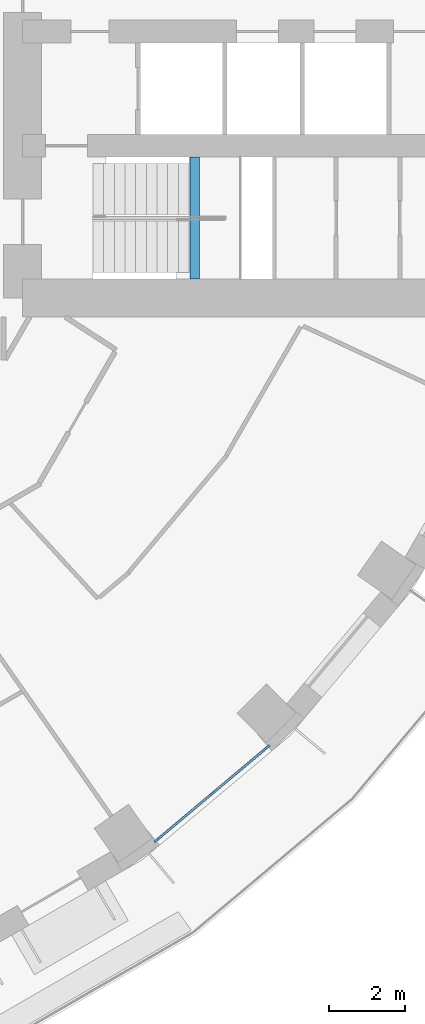
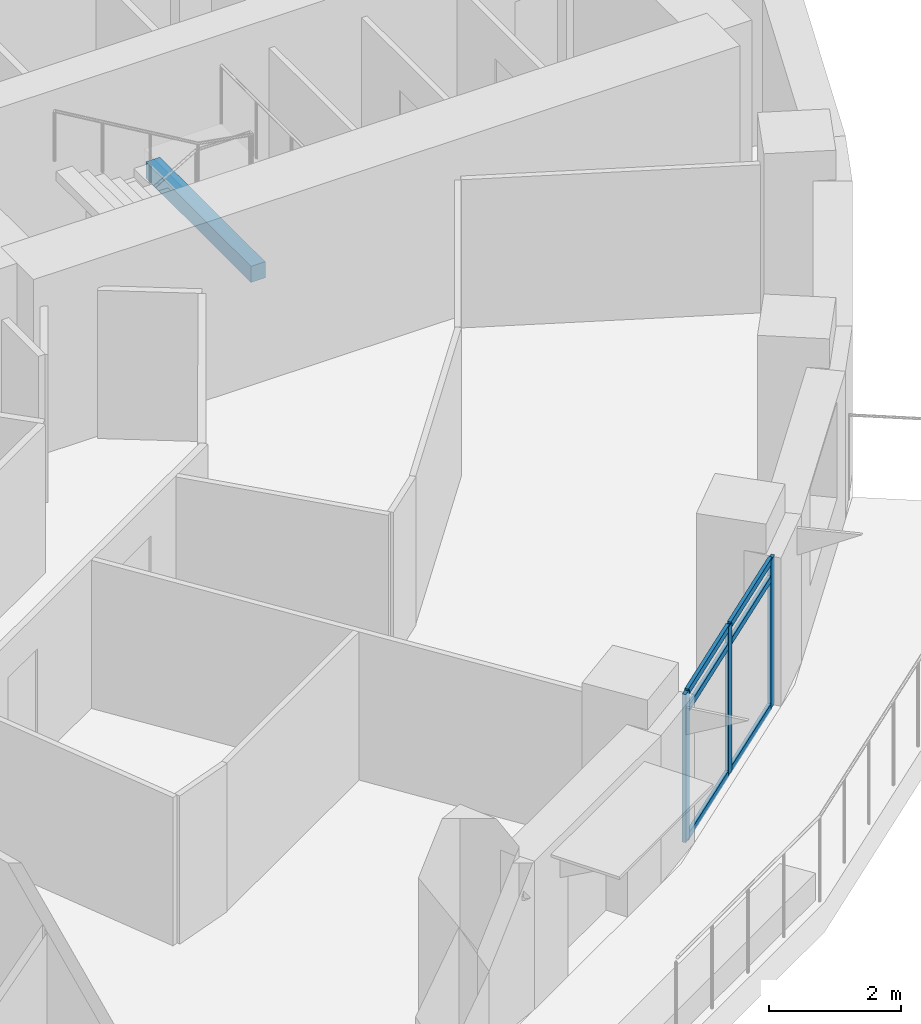
# One storey, part 3 of 16: 9 members, 1 beam, 1 element without a shape of its own.
"""IFC4 building model written with IfcOpenShell, lengths in metres."""

from ifc_helpers import new_model, si_unit, direction, frame, origin, origin_2d, place, context, subcontext, project, spatial, rectangle, extrude, material, layer, layer_set, material_profile, profile_set, type_object, element, aggregate, save


model = new_model("IFC4")

# Units and contexts
model_context = context("Model", 3, precision=1e-05, world=origin(), true_north=direction((0.0, 1.0)))
body_context = subcontext(model_context, "Body", "Model", "MODEL_VIEW")
ifc_project = project(units=[si_unit("LENGTHUNIT", "METRE"), si_unit("AREAUNIT", "SQUARE_METRE"), si_unit("VOLUMEUNIT", "CUBIC_METRE"), si_unit("PLANEANGLEUNIT", "RADIAN"), si_unit("MASSUNIT", "GRAM", prefix="KILO")], contexts=[model_context])

# Site, building, storey
site_placement = place(None, origin())
site = spatial("IfcSite", under=ifc_project, at=site_placement, CompositionType="ELEMENT")
building_placement = place(site_placement, origin())
building = spatial("IfcBuilding", under=site, at=building_placement, Name="Saqina Gate Tower", CompositionType="ELEMENT")
storey_placement = place(building_placement, frame((0.0, 0.0, 26.300048828125)))
storey = spatial("IfcBuildingStorey", under=building, at=storey_placement, Name="L06", CompositionType="ELEMENT", Elevation=26.300048828125)

# Curtain wall, members
ifc_material_1 = material(Name="Aluminium glazing", Category="aluminium")
ifc_layer = layer(ifc_material_1, 0.159912109375)
ifc_layer_set = layer_set([ifc_layer], Name="CWT-4")
curtain_wall_type = type_object("IfcCurtainWallType", Name="CWT-4", PredefinedType="NOTDEFINED", material=ifc_layer_set)
curtain_wall_placement = place(storey_placement, origin())
curtain_wall = element("IfcCurtainWall", 1, at=curtain_wall_placement, inside=storey, type_object=curtain_wall_type, Name="Terrace lounge glazing facet 31", PredefinedType="NOTDEFINED")
ifc_material_2 = material(Name="Aluminium", Category="aluminium")
ifc_material_profile_1 = material_profile(ifc_material_2, rectangle(XDim=0.06005859375, YDim=0.159912109375, at=origin_2d()), Name="Aluminium 60x160")
ifc_profile_set_1 = profile_set([ifc_material_profile_1], Name="Aluminium")
member_type_1 = type_object("IfcMemberType", Name="CWT-4M", PredefinedType="MULLION", material=ifc_profile_set_1)
member_1_placement = place(storey_placement, frame((17.0234375, -23.232666015625, 0.0), z_axis=(0.0, 0.0, 1.0), x_axis=(-0.642791970033, 0.766040784332, 0.0)))
member_1 = element("IfcMember", 2, at=member_1_placement, type_object=member_type_1, Name="CW4-31 mullion 1", PredefinedType="MULLION", context=body_context, shape_type="SweptSolid", body=[
    extrude(rectangle(XDim=0.06005859375, YDim=0.159912109375, at=origin_2d()), origin(), (0.0, 0.0, 1.0), 2.75),
])
member_2_placement = place(storey_placement, frame((18.473388671875, -22.015869140625, 0.0), z_axis=(0.0, 0.0, 1.0), x_axis=(-0.642791970033, 0.766040784332, 0.0)))
member_2 = element("IfcMember", 3, at=member_2_placement, type_object=member_type_1, Name="CW4-31 mullion 2", PredefinedType="MULLION", context=body_context, shape_type="SweptSolid", body=[
    extrude(rectangle(XDim=0.06005859375, YDim=0.159912109375, at=origin_2d()), origin(), (0.0, 0.0, 1.0), 2.75),
])
member_3_placement = place(storey_placement, frame((19.923583984375, -20.799072265625, 0.0), z_axis=(0.0, 0.0, 1.0), x_axis=(-0.642791970033, 0.766040784332, 0.0)))
member_3 = element("IfcMember", 4, at=member_3_placement, type_object=member_type_1, Name="CW4-31 mullion 3", PredefinedType="MULLION", context=body_context, shape_type="SweptSolid", body=[
    extrude(rectangle(XDim=0.06005859375, YDim=0.159912109375, at=origin_2d()), origin(), (0.0, 0.0, 1.0), 2.75),
])
ifc_material_3 = material(Name="Aluminium", Category="aluminium")
ifc_material_profile_2 = material_profile(ifc_material_3, rectangle(XDim=0.06005859375, YDim=0.1201171875, at=origin_2d()), Name="Aluminium 60x120")
ifc_profile_set_2 = profile_set([ifc_material_profile_2], Name="Aluminium")
member_type_2 = type_object("IfcMemberType", Name="CWT-4T", PredefinedType="USERDEFINED", material=ifc_profile_set_2)
member_4_placement = place(storey_placement, frame((17.04638671875, -23.21337890625, 0.030029296875), z_axis=(0.766022272785, 0.642814030336, 0.0), x_axis=(-0.642814030336, 0.766022272785, 0.0)))
member_4 = element("IfcMember", 5, at=member_4_placement, type_object=member_type_2, Name="CW4-31 transom 1.1", ObjectType="TRANSOM", PredefinedType="USERDEFINED", context=body_context, shape_type="SweptSolid", body=[
    extrude(rectangle(XDim=0.06005859375, YDim=0.1201171875, at=origin_2d()), origin(), (0.0, 0.0, 1.0), 1.8330078125),
])
member_5_placement = place(storey_placement, frame((17.04638671875, -23.21337890625, 2.39990234375), z_axis=(0.766022272785, 0.642814030336, 0.0), x_axis=(-0.642814030336, 0.766022272785, 0.0)))
member_5 = element("IfcMember", 6, at=member_5_placement, type_object=member_type_2, Name="CW4-31 transom 1.2", ObjectType="TRANSOM", PredefinedType="USERDEFINED", context=body_context, shape_type="SweptSolid", body=[
    extrude(rectangle(XDim=0.06005859375, YDim=0.1201171875, at=origin_2d()), origin(), (0.0, 0.0, 1.0), 1.8330078125),
])
member_6_placement = place(storey_placement, frame((17.04638671875, -23.21337890625, 2.719970703125), z_axis=(0.766022272785, 0.642814030336, 0.0), x_axis=(-0.642814030336, 0.766022272785, 0.0)))
member_6 = element("IfcMember", 7, at=member_6_placement, type_object=member_type_2, Name="CW4-31 transom 1.3", ObjectType="TRANSOM", PredefinedType="USERDEFINED", context=body_context, shape_type="SweptSolid", body=[
    extrude(rectangle(XDim=0.06005859375, YDim=0.1201171875, at=origin_2d()), origin(), (0.0, 0.0, 1.0), 1.8330078125),
])
member_7_placement = place(storey_placement, frame((18.496337890625, -21.99658203125, 0.030029296875), z_axis=(0.766077303133, 0.642748446614, 0.0), x_axis=(-0.642748446614, 0.766077303133, 0.0)))
member_7 = element("IfcMember", 8, at=member_7_placement, type_object=member_type_2, Name="CW4-31 transom 2.1", ObjectType="TRANSOM", PredefinedType="USERDEFINED", context=body_context, shape_type="SweptSolid", body=[
    extrude(rectangle(XDim=0.06005859375, YDim=0.1201171875, at=origin_2d()), origin(), (0.0, 0.0, 1.0), 1.8330078125),
])
member_8_placement = place(storey_placement, frame((18.496337890625, -21.99658203125, 2.39990234375), z_axis=(0.766077303133, 0.642748446614, 0.0), x_axis=(-0.642748446614, 0.766077303133, 0.0)))
member_8 = element("IfcMember", 9, at=member_8_placement, type_object=member_type_2, Name="CW4-31 transom 2.2", ObjectType="TRANSOM", PredefinedType="USERDEFINED", context=body_context, shape_type="SweptSolid", body=[
    extrude(rectangle(XDim=0.06005859375, YDim=0.1201171875, at=origin_2d()), origin(), (0.0, 0.0, 1.0), 1.8330078125),
])
member_9_placement = place(storey_placement, frame((18.496337890625, -21.99658203125, 2.719970703125), z_axis=(0.766077303133, 0.642748446614, 0.0), x_axis=(-0.642748446614, 0.766077303133, 0.0)))
member_9 = element("IfcMember", 10, at=member_9_placement, type_object=member_type_2, Name="CW4-31 transom 2.3", ObjectType="TRANSOM", PredefinedType="USERDEFINED", context=body_context, shape_type="SweptSolid", body=[
    extrude(rectangle(XDim=0.06005859375, YDim=0.1201171875, at=origin_2d()), origin(), (0.0, 0.0, 1.0), 1.8330078125),
])
aggregate(curtain_wall, [member_1, member_2, member_3, member_4, member_5, member_6, member_7, member_8, member_9])

# Beam
ifc_material_4 = material(Name="Concrete C40/50", Category="concrete")
ifc_material_profile_3 = material_profile(ifc_material_4, rectangle(XDim=0.25, YDim=0.300048828125, at=origin_2d()), Name="STAIR LANDING BEAM")
ifc_profile_set_3 = profile_set([ifc_material_profile_3], Name="Concrete C40/50")
beam_type = type_object("IfcBeamType", Name="STAIR LANDING BEAM", PredefinedType="BEAM", material=ifc_profile_set_3)
beam_placement = place(storey_placement, frame((18.02001953125, -8.5, 1.25), z_axis=(0.0, 1.0, 0.0), x_axis=(-1.0, 0.0, 0.0)))
element("IfcBeam", 11, at=beam_placement, inside=storey, type_object=beam_type, Name="EXIT STAIR 2 LANDING BEAM", PredefinedType="BEAM", context=body_context, shape_type="SweptSolid", body=[
    extrude(rectangle(XDim=0.25, YDim=0.300048828125, at=origin_2d()), origin(), (0.0, 0.0, 1.0), 3.199951171875),
])

save(model, "model.ifc")
